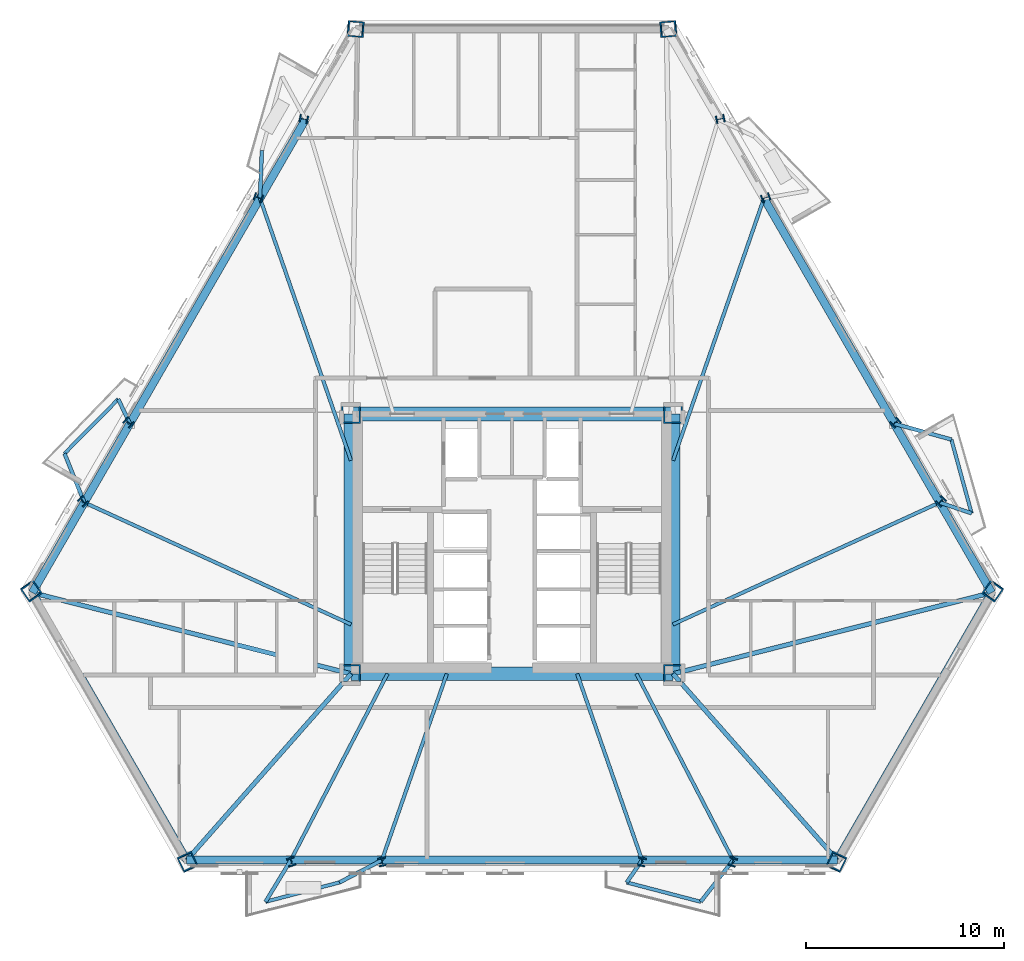
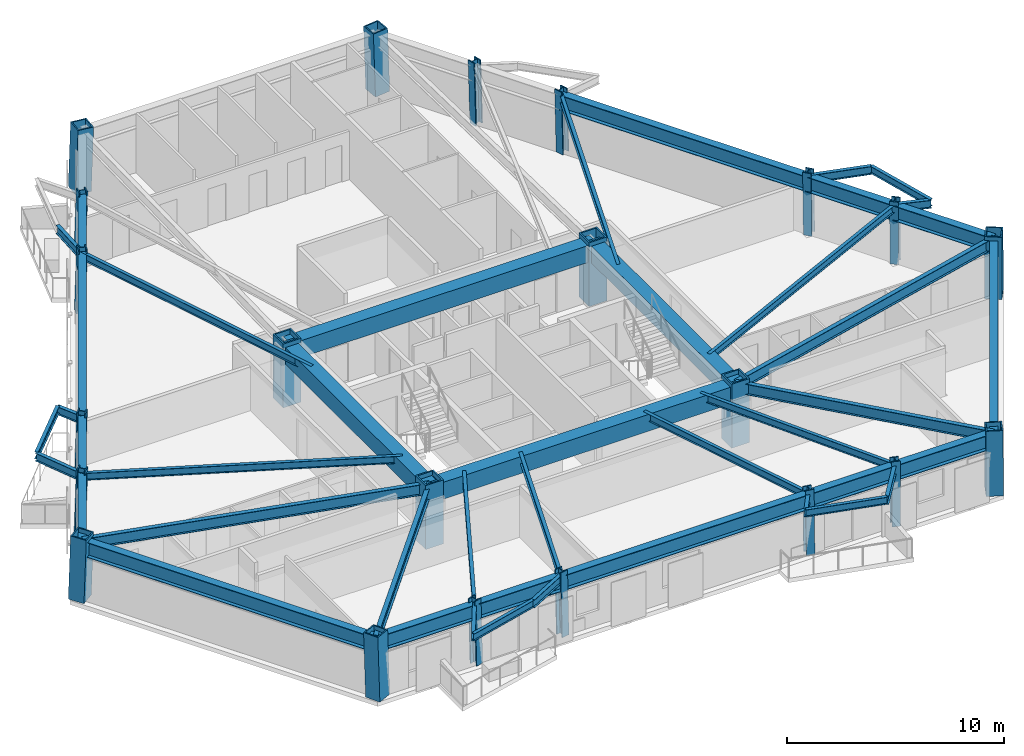
# One storey, part 1 of 12: 43 beams, 22 columns.
"""IFC4 building model written with IfcOpenShell, lengths in metres."""

from ifc_helpers import new_model, si_unit, direction, frame, origin, origin_2d, place, context, subcontext, project, spatial, rectangle, hollow_rectangle, i_section, extrude, material, material_profile, profile_set, type_object, element, save


model = new_model("IFC4")

# Units and contexts
model_context = context("Model", 3, precision=1e-05, world=origin(), true_north=direction((0.0, 1.0)))
body_context = subcontext(model_context, "Body", "Model", "MODEL_VIEW")
ifc_project = project(units=[si_unit("LENGTHUNIT", "METRE"), si_unit("AREAUNIT", "SQUARE_METRE"), si_unit("VOLUMEUNIT", "CUBIC_METRE"), si_unit("PLANEANGLEUNIT", "RADIAN"), si_unit("MASSUNIT", "GRAM", prefix="KILO")], contexts=[model_context])

# Site, building, storey
site_placement = place(None, origin())
site = spatial("IfcSite", under=ifc_project, at=site_placement, CompositionType="ELEMENT")
building_placement = place(site_placement, origin())
building = spatial("IfcBuilding", under=site, at=building_placement, Name="Oramaril Tower", CompositionType="ELEMENT")
storey_placement = place(building_placement, frame((0.0, 0.0, 30.89990234375)))
storey = spatial("IfcBuildingStorey", under=building, at=storey_placement, Name="L07", CompositionType="ELEMENT", Elevation=30.89990234375)

# Columns
ifc_material_1 = material(Name="Steel ASTM A572 Gr 50", Category="steel")
ifc_material_profile_1 = material_profile(ifc_material_1, hollow_rectangle(XDim=0.949951171875, YDim=0.949951171875, WallThickness=0.080078125, at=origin_2d()), Name="BOX950X950X80")
ifc_profile_set_1 = profile_set([ifc_material_profile_1], Name="Steel ASTM A572 Gr 50")
column_type_1 = type_object("IfcColumnType", Name="CT-CC2", PredefinedType="COLUMN", material=ifc_profile_set_1)
for number, where, z_axis, x_axis, name in (
    (1, (29.35009765625, 11.0, 0.0), (0.0, 0.0, 1.0), (1.0, 0.0, 0.0), "L07 Core Column CC-1"),
    (2, (45.64990234375, 11.0, 0.0), (0.0, 0.0, 1.0), (1.0, 0.0, 0.0), "L07 Core Column CC-2"),
    (3, (45.64990234375, 24.14990234375, 0.0), (0.0, 0.0, 1.0), (1.0, 0.0, 0.0), "L07 Core Column CC-3"),
    (4, (29.35009765625, 24.14990234375, 0.0), (0.0, 0.0, 1.0), (1.0, 0.0, 0.0), "L07 Core Column CC-4"),
):
    element("IfcColumn", number, at=place(storey_placement, frame(where, z_axis=z_axis, x_axis=x_axis)), inside=storey, type_object=column_type_1, Name=name, PredefinedType="COLUMN", context=body_context, shape_type="SweptSolid", body=[
        extrude(hollow_rectangle(XDim=0.949951171875, YDim=0.949951171875, WallThickness=0.080078125, at=origin_2d()), origin(), (0.0, 0.0, 1.0), 3.60009765625),
    ])
ifc_material_2 = material(Name="Steel ASTM A572 Gr 50", Category="steel")
ifc_material_profile_2 = material_profile(ifc_material_2, hollow_rectangle(XDim=0.800048828125, YDim=0.800048828125, WallThickness=0.06494140625, at=origin_2d()), Name="BOX800X800X65")
ifc_profile_set_2 = profile_set([ifc_material_profile_2], Name="Steel ASTM A572 Gr 50")
column_type_2 = type_object("IfcColumnType", Name="CT-TC3", PredefinedType="COLUMN", material=ifc_profile_set_2)
for number, where, z_axis, x_axis, name in (
    (5, (13.156005859375, 15.20361328125, 0.004638671875), (0.018346571143, -0.026500602762, 0.999480425712), (0.822192191644, 0.56920997883, 0.0), "L07 Tube Column TC-01"),
    (6, (21.087646484375, 1.4658203125, 0.004638671875), (-0.013793922819, 0.029082753529, 0.999481826318), (-0.903522800659, -0.428540019939, 0.0), "L07 Tube Column TC-02"),
    (7, (53.912353515625, 1.4658203125, 0.004638671875), (0.013793922819, 0.029082753529, 0.999481826318), (-0.903522800659, 0.428540019939, 0.0), "L07 Tube Column TC-03"),
    (8, (61.843994140625, 15.20361328125, 0.004638671875), (-0.018346571143, -0.026500602762, 0.999480425712), (0.822192191644, -0.56920997883, 0.0), "L07 Tube Column TC-04"),
    (9, (45.431640625, 43.630615234375, 0.004638671875), (-0.032140461795, -0.002582108981, 0.999480026528), (0.080080253565, -0.996788419369, 0.0), "L07 Tube Column TC-05"),
    (10, (29.568359375, 43.630615234375, 0.004638671875), (0.032140461795, -0.002582108981, 0.999480026528), (0.080080253565, 0.996788419369, 0.0), "L07 Tube Column TC-06"),
):
    element("IfcColumn", number, at=place(storey_placement, frame(where, z_axis=z_axis, x_axis=x_axis)), inside=storey, type_object=column_type_2, Name=name, PredefinedType="COLUMN", context=body_context, shape_type="SweptSolid", body=[
        extrude(hollow_rectangle(XDim=0.800048828125, YDim=0.800048828125, WallThickness=0.06494140625, at=origin_2d()), origin(), (0.0, 0.0, 1.0), 3.593017578125),
    ])
ifc_material_3 = material(Name="Steel ASTM A572 Gr 50", Category="steel")
ifc_material_profile_3 = material_profile(ifc_material_3, i_section(OverallWidth=0.410888671875, OverallDepth=0.43408203125, WebThickness=0.035888671875, FlangeThickness=0.057373046875, at=origin_2d()), Name="W14X311")
ifc_profile_set_3 = profile_set([ifc_material_profile_3], Name="Steel ASTM A572 Gr 50")
column_type_3 = type_object("IfcColumnType", Name="CT-TF2", PredefinedType="COLUMN", material=ifc_profile_set_3)
column_1_placement = place(storey_placement, frame((26.339599609375, 1.4658203125, 0.004638671875), z_axis=(-0.009377629374, 0.029084241828, 0.999532974416), x_axis=(-0.951750526254, -0.306872833231, 0.0)))
element("IfcColumn", 11, at=column_1_placement, inside=storey, type_object=column_type_3, Name="L07 Tube Column TC-07", PredefinedType="COLUMN", context=body_context, shape_type="SweptSolid", body=[
    extrude(i_section(OverallWidth=0.410888671875, OverallDepth=0.43408203125, WebThickness=0.035888671875, FlangeThickness=0.057373046875, at=origin_2d()), origin(), (0.0, 0.0, 1.0), 3.5927734375),
])
for number, where, z_axis, x_axis, name in (
    (12, (30.93505859375, 1.4658203125, 0.004638671875), (-0.005504419368, 0.029085080117, 0.999561783724), (-0.982558911086, -0.185951569621, 0.0), "L07 Tube Column TC-08"),
    (13, (44.06494140625, 1.4658203125, 0.004638671875), (0.005504419368, 0.029085080117, 0.999561783724), (-0.982558911086, 0.185951569621, 0.0), "L07 Tube Column TC-09"),
):
    element("IfcColumn", number, at=place(storey_placement, frame(where, z_axis=z_axis, x_axis=x_axis)), inside=storey, type_object=column_type_3, Name=name, PredefinedType="COLUMN", context=body_context, shape_type="SweptSolid", body=[
        extrude(i_section(OverallWidth=0.410888671875, OverallDepth=0.43408203125, WebThickness=0.035888671875, FlangeThickness=0.057373046875, at=origin_2d()), origin(), (0.0, 0.0, 1.0), 3.592529296875),
    ])
for number, where, z_axis, x_axis, name in (
    (14, (48.660400390625, 1.4658203125, 0.004638671875), (0.009377629374, 0.029084241828, 0.999532974416), (-0.951750526254, 0.306872833231, 0.0), "L07 Tube Column TC-10"),
    (15, (59.218017578125, 19.751953125, 0.004638671875), (-0.020522033279, -0.022696553361, 0.999531746677), (0.741746192232, -0.670680688785, 0.0), "L07 Tube Column TC-11"),
):
    element("IfcColumn", number, at=place(storey_placement, frame(where, z_axis=z_axis, x_axis=x_axis)), inside=storey, type_object=column_type_3, Name=name, PredefinedType="COLUMN", context=body_context, shape_type="SweptSolid", body=[
        extrude(i_section(OverallWidth=0.410888671875, OverallDepth=0.43408203125, WebThickness=0.035888671875, FlangeThickness=0.057373046875, at=origin_2d()), origin(), (0.0, 0.0, 1.0), 3.5927734375),
    ])
for number, where, z_axis, x_axis, name in (
    (16, (56.920166015625, 23.731689453125, 0.004638671875), (-0.022425422026, -0.019299454107, 0.999562219933), (0.652303294881, -0.757958053911, 0.0), "L07 Tube Column TC-12"),
    (17, (50.355224609375, 35.1025390625, 0.004638671875), (-0.027929837282, -0.00978563642, 0.999561986827), (0.330657253274, -0.943750910387, 0.0), "L07 Tube Column TC-13"),
):
    element("IfcColumn", number, at=place(storey_placement, frame(where, z_axis=z_axis, x_axis=x_axis)), inside=storey, type_object=column_type_3, Name=name, PredefinedType="COLUMN", context=body_context, shape_type="SweptSolid", body=[
        extrude(i_section(OverallWidth=0.410888671875, OverallDepth=0.43408203125, WebThickness=0.035888671875, FlangeThickness=0.057373046875, at=origin_2d()), origin(), (0.0, 0.0, 1.0), 3.592529296875),
    ])
for number, where, z_axis, x_axis, name in (
    (18, (48.0576171875, 39.082275390625, 0.004638671875), (-0.029899660454, -0.006455608507, 0.999532058227), (0.211045983511, -0.977476134156, 0.0), "L07 Tube Column TC-14"),
    (19, (26.9423828125, 39.082275390625, 0.004638671875), (0.029899660454, -0.006455608507, 0.999532058227), (0.211045983511, 0.977476134156, 0.0), "L07 Tube Column TC-15"),
):
    element("IfcColumn", number, at=place(storey_placement, frame(where, z_axis=z_axis, x_axis=x_axis)), inside=storey, type_object=column_type_3, Name=name, PredefinedType="COLUMN", context=body_context, shape_type="SweptSolid", body=[
        extrude(i_section(OverallWidth=0.410888671875, OverallDepth=0.43408203125, WebThickness=0.035888671875, FlangeThickness=0.057373046875, at=origin_2d()), origin(), (0.0, 0.0, 1.0), 3.5927734375),
    ])
for number, where, z_axis, x_axis, name in (
    (20, (24.644775390625, 35.1025390625, 0.004638671875), (0.027929837282, -0.00978563642, 0.999561986827), (0.330657253274, 0.943750910387, 0.0), "L07 Tube Column TC-16"),
    (21, (18.079833984375, 23.731689453125, 0.004638671875), (0.022425422026, -0.019299454107, 0.999562219933), (0.652303294881, 0.757958053911, 0.0), "L07 Tube Column TC-17"),
):
    element("IfcColumn", number, at=place(storey_placement, frame(where, z_axis=z_axis, x_axis=x_axis)), inside=storey, type_object=column_type_3, Name=name, PredefinedType="COLUMN", context=body_context, shape_type="SweptSolid", body=[
        extrude(i_section(OverallWidth=0.410888671875, OverallDepth=0.43408203125, WebThickness=0.035888671875, FlangeThickness=0.057373046875, at=origin_2d()), origin(), (0.0, 0.0, 1.0), 3.592529296875),
    ])
column_2_placement = place(storey_placement, frame((15.781982421875, 19.751953125, 0.004638671875), z_axis=(0.020522033279, -0.022696553361, 0.999531746677), x_axis=(0.741746192232, 0.670680688785, 0.0)))
element("IfcColumn", 22, at=column_2_placement, inside=storey, type_object=column_type_3, Name="L07 Tube Column TC-18", PredefinedType="COLUMN", context=body_context, shape_type="SweptSolid", body=[
    extrude(i_section(OverallWidth=0.410888671875, OverallDepth=0.43408203125, WebThickness=0.035888671875, FlangeThickness=0.057373046875, at=origin_2d()), origin(), (0.0, 0.0, 1.0), 3.5927734375),
])

# Beams
ifc_material_4 = material(Name="Steel ASTM A572 Gr 50", Category="steel")
ifc_material_profile_4 = material_profile(ifc_material_4, i_section(OverallWidth=0.19091796875, OverallDepth=0.45703125, WebThickness=0.009033203125, FlangeThickness=0.014404296875, at=origin_2d()), Name="W18X50")
ifc_profile_set_4 = profile_set([ifc_material_profile_4], Name="Steel ASTM A572 Gr 50")
beam_type_1 = type_object("IfcBeamType", Name="BT-BB1", PredefinedType="BEAM", material=ifc_profile_set_4)
beam_1_placement = place(storey_placement, frame((26.305908203125, 1.5703125, 3.131591796875), z_axis=(-0.519189931464, -0.854658888134, 0.0), x_axis=(0.854658888134, -0.519189931464, 0.0)))
element("IfcBeam", 23, at=beam_1_placement, inside=storey, type_object=beam_type_1, Name="L07 Balcony Column-Framed Cantilever 01.1", PredefinedType="BEAM", context=body_context, shape_type="SweptSolid", body=[
    extrude(i_section(OverallWidth=0.19091796875, OverallDepth=0.45703125, WebThickness=0.009033203125, FlangeThickness=0.014404296875, at=origin_2d()), origin(), (0.0, 0.0, 1.0), 2.46630859375),
])
beam_2_placement = place(storey_placement, frame((30.915283203125, 1.5703125, 3.131591796875), z_axis=(-0.885158415393, -0.465289780307, 0.0), x_axis=(0.465289780307, -0.885158415393, 0.0)))
element("IfcBeam", 24, at=beam_2_placement, inside=storey, type_object=beam_type_1, Name="L07 Balcony Column-Framed Cantilever 01.2", PredefinedType="BEAM", context=body_context, shape_type="SweptSolid", body=[
    extrude(i_section(OverallWidth=0.19091796875, OverallDepth=0.45703125, WebThickness=0.009033203125, FlangeThickness=0.014404296875, at=origin_2d()), origin(), (0.0, 0.0, 1.0), 2.424072265625),
])
beam_3_placement = place(storey_placement, frame((44.084716796875, 1.5703125, 3.131591796875), z_axis=(-0.568431869955, -0.822730338093, 0.0), x_axis=(0.822730338093, -0.568431869955, 0.0)))
element("IfcBeam", 25, at=beam_3_placement, inside=storey, type_object=beam_type_1, Name="L07 Balcony Column-Framed Cantilever 02.1", PredefinedType="BEAM", context=body_context, shape_type="SweptSolid", body=[
    extrude(i_section(OverallWidth=0.19091796875, OverallDepth=0.45703125, WebThickness=0.009033203125, FlangeThickness=0.014404296875, at=origin_2d()), origin(), (0.0, 0.0, 1.0), 1.370849609375),
])
beam_4_placement = place(storey_placement, frame((48.694091796875, 1.5703125, 3.131591796875), z_axis=(-0.615115822901, -0.788436759935, 0.0), x_axis=(0.788436759935, -0.615115822901, 0.0)))
element("IfcBeam", 26, at=beam_4_placement, inside=storey, type_object=beam_type_1, Name="L07 Balcony Column-Framed Cantilever 02.2", PredefinedType="BEAM", context=body_context, shape_type="SweptSolid", body=[
    extrude(i_section(OverallWidth=0.19091796875, OverallDepth=0.45703125, WebThickness=0.009033203125, FlangeThickness=0.014404296875, at=origin_2d()), origin(), (0.0, 0.0, 1.0), 2.673583984375),
])
beam_5_placement = place(storey_placement, frame((59.144287109375, 19.67041015625, 3.131591796875), z_axis=(0.947633622766, -0.319359541901, 0.0), x_axis=(0.319359541901, 0.947633622766, 0.0)))
element("IfcBeam", 27, at=beam_5_placement, inside=storey, type_object=beam_type_1, Name="L07 Balcony Column-Framed Cantilever 03.1", PredefinedType="BEAM", context=body_context, shape_type="SweptSolid", body=[
    extrude(i_section(OverallWidth=0.19091796875, OverallDepth=0.45703125, WebThickness=0.009033203125, FlangeThickness=0.014404296875, at=origin_2d()), origin(), (0.0, 0.0, 1.0), 1.706298828125),
])
beam_6_placement = place(storey_placement, frame((56.839599609375, 23.662353515625, 3.131591796875), z_axis=(0.963576027118, -0.267434552675, 0.0), x_axis=(0.267434552675, 0.963576027118, 0.0)))
element("IfcBeam", 28, at=beam_6_placement, inside=storey, type_object=beam_type_1, Name="L07 Balcony Column-Framed Cantilever 03.2", PredefinedType="BEAM", context=body_context, shape_type="SweptSolid", body=[
    extrude(i_section(OverallWidth=0.19091796875, OverallDepth=0.45703125, WebThickness=0.009033203125, FlangeThickness=0.014404296875, at=origin_2d()), origin(), (0.0, 0.0, 1.0), 3.008056640625),
])
beam_7_placement = place(storey_placement, frame((24.7451171875, 35.0673828125, 3.131591796875), z_axis=(0.039678464509, 0.999212499649, 0.0), x_axis=(-0.999212499649, 0.039678464509, 0.0)))
element("IfcBeam", 29, at=beam_7_placement, inside=storey, type_object=beam_type_1, Name="L07 Balcony Column-Framed Cantilever 05.2", PredefinedType="BEAM", context=body_context, shape_type="SweptSolid", body=[
    extrude(i_section(OverallWidth=0.19091796875, OverallDepth=0.45703125, WebThickness=0.009033203125, FlangeThickness=0.014404296875, at=origin_2d()), origin(), (0.0, 0.0, 1.0), 2.42431640625),
])
beam_8_placement = place(storey_placement, frame((18.160400390625, 23.662353515625, 3.131591796875), z_axis=(-0.428308340924, 0.903632649418, 0.0), x_axis=(-0.903632649418, -0.428308340924, 0.0)))
element("IfcBeam", 30, at=beam_8_placement, inside=storey, type_object=beam_type_1, Name="L07 Balcony Column-Framed Cantilever 06.1", PredefinedType="BEAM", context=body_context, shape_type="SweptSolid", body=[
    extrude(i_section(OverallWidth=0.19091796875, OverallDepth=0.45703125, WebThickness=0.009033203125, FlangeThickness=0.014404296875, at=origin_2d()), origin(), (0.0, 0.0, 1.0), 1.370849609375),
])
beam_9_placement = place(storey_placement, frame((15.855712890625, 19.67041015625, 3.131591796875), z_axis=(-0.37521330685, 0.926938495458, 0.0), x_axis=(-0.926938495458, -0.37521330685, 0.0)))
element("IfcBeam", 31, at=beam_9_placement, inside=storey, type_object=beam_type_1, Name="L07 Balcony Column-Framed Cantilever 06.2", PredefinedType="BEAM", context=body_context, shape_type="SweptSolid", body=[
    extrude(i_section(OverallWidth=0.19091796875, OverallDepth=0.45703125, WebThickness=0.009033203125, FlangeThickness=0.014404296875, at=origin_2d()), origin(), (0.0, 0.0, 1.0), 2.673583984375),
])
ifc_material_5 = material(Name="Concrete C50/60", Category="concrete")
ifc_material_profile_5 = material_profile(ifc_material_5, rectangle(XDim=0.699951171875, YDim=0.949951171875, at=origin_2d()), Name="CB700X950")
ifc_profile_set_5 = profile_set([ifc_material_profile_5], Name="Concrete C50/60")
beam_type_2 = type_object("IfcBeamType", Name="BT-CB1", PredefinedType="BEAM", material=ifc_profile_set_5)
beam_10_placement = place(storey_placement, frame((29.35009765625, 11.0, 2.885009765625), z_axis=(1.0, 0.0, 0.0), x_axis=(0.0, 1.0, 0.0)))
element("IfcBeam", 32, at=beam_10_placement, inside=storey, type_object=beam_type_2, Name="L07 Core Header Beam CB-1", PredefinedType="BEAM", context=body_context, shape_type="SweptSolid", body=[
    extrude(rectangle(XDim=0.699951171875, YDim=0.949951171875, at=origin_2d()), origin(), (0.0, 0.0, 1.0), 16.2998046875),
])
beam_11_placement = place(storey_placement, frame((45.64990234375, 11.0, 2.885009765625), z_axis=(0.0, 1.0, 0.0), x_axis=(-1.0, 0.0, 0.0)))
element("IfcBeam", 33, at=beam_11_placement, inside=storey, type_object=beam_type_2, Name="L07 Core Header Beam CB-2", PredefinedType="BEAM", context=body_context, shape_type="SweptSolid", body=[
    extrude(rectangle(XDim=0.699951171875, YDim=0.949951171875, at=origin_2d()), origin(), (0.0, 0.0, 1.0), 13.14990234375),
])
beam_12_placement = place(storey_placement, frame((45.64990234375, 24.14990234375, 2.885009765625), z_axis=(-1.0, 0.0, 0.0), x_axis=(0.0, -1.0, 0.0)))
element("IfcBeam", 34, at=beam_12_placement, inside=storey, type_object=beam_type_2, Name="L07 Core Header Beam CB-3", PredefinedType="BEAM", context=body_context, shape_type="SweptSolid", body=[
    extrude(rectangle(XDim=0.699951171875, YDim=0.949951171875, at=origin_2d()), origin(), (0.0, 0.0, 1.0), 16.2998046875),
])
beam_13_placement = place(storey_placement, frame((29.35009765625, 24.14990234375, 2.885009765625), z_axis=(0.0, -1.0, 0.0), x_axis=(1.0, 0.0, 0.0)))
element("IfcBeam", 35, at=beam_13_placement, inside=storey, type_object=beam_type_2, Name="L07 Core Header Beam CB-4", PredefinedType="BEAM", context=body_context, shape_type="SweptSolid", body=[
    extrude(rectangle(XDim=0.699951171875, YDim=0.949951171875, at=origin_2d()), origin(), (0.0, 0.0, 1.0), 13.14990234375),
])
ifc_material_6 = material(Name="Steel ASTM A572 Gr 50", Category="steel")
ifc_material_profile_6 = material_profile(ifc_material_6, i_section(OverallWidth=0.22900390625, OverallDepth=0.612060546875, WebThickness=0.011962890625, FlangeThickness=0.01953125, at=origin_2d()), Name="W24X84")
ifc_profile_set_6 = profile_set([ifc_material_profile_6], Name="Steel ASTM A572 Gr 50")
beam_type_3 = type_object("IfcBeamType", Name="BT-FB1", PredefinedType="BEAM", material=ifc_profile_set_6)
beam_14_placement = place(storey_placement, frame((29.35009765625, 11.0, 3.05419921875), z_axis=(-0.969053420178, 0.246851106625, 0.0), x_axis=(-0.246851106625, -0.969053420178, 0.0)))
element("IfcBeam", 36, at=beam_14_placement, inside=storey, type_object=beam_type_3, Name="L07 Radial Primary Beam RB-01", PredefinedType="BEAM", context=body_context, shape_type="SweptSolid", body=[
    extrude(i_section(OverallWidth=0.22900390625, OverallDepth=0.612060546875, WebThickness=0.011962890625, FlangeThickness=0.01953125, at=origin_2d()), origin(), (0.0, 0.0, 1.0), 16.643310546875),
])
for number, where, z_axis, x_axis, name in (
    (37, (29.35009765625, 11.0, 3.05419921875), (-0.661250265846, -0.75016537238, 0.0), (0.75016537238, -0.661250265846, 0.0), "L07 Radial Primary Beam RB-02"),
    (38, (45.64990234375, 11.0, 3.05419921875), (0.661250265846, -0.75016537238, 0.0), (0.75016537238, 0.661250265846, 0.0), "L07 Radial Primary Beam RB-03"),
):
    element("IfcBeam", number, at=place(storey_placement, frame(where, z_axis=z_axis, x_axis=x_axis)), inside=storey, type_object=beam_type_3, Name=name, PredefinedType="BEAM", context=body_context, shape_type="SweptSolid", body=[
        extrude(i_section(OverallWidth=0.22900390625, OverallDepth=0.612060546875, WebThickness=0.011962890625, FlangeThickness=0.01953125, at=origin_2d()), origin(), (0.0, 0.0, 1.0), 12.570068359375),
    ])
beam_15_placement = place(storey_placement, frame((45.64990234375, 11.0, 3.05419921875), z_axis=(0.969053420178, 0.246851106625, 0.0), x_axis=(-0.246851106625, 0.969053420178, 0.0)))
element("IfcBeam", 39, at=beam_15_placement, inside=storey, type_object=beam_type_3, Name="L07 Radial Primary Beam RB-04", PredefinedType="BEAM", context=body_context, shape_type="SweptSolid", body=[
    extrude(i_section(OverallWidth=0.22900390625, OverallDepth=0.612060546875, WebThickness=0.011962890625, FlangeThickness=0.01953125, at=origin_2d()), origin(), (0.0, 0.0, 1.0), 16.643310546875),
])
ifc_material_7 = material(Name="Steel ASTM A572 Gr 50", Category="steel")
ifc_material_profile_7 = material_profile(ifc_material_7, i_section(OverallWidth=0.177978515625, OverallDepth=0.404052734375, WebThickness=0.007568359375, FlangeThickness=0.010986328125, at=origin_2d()), Name="W16X36")
ifc_profile_set_7 = profile_set([ifc_material_profile_7], Name="Steel ASTM A572 Gr 50")
beam_type_4 = type_object("IfcBeamType", Name="BT-SB1", PredefinedType="BEAM", material=ifc_profile_set_7)
beam_16_placement = place(storey_placement, frame((31.199951171875, 11.0, 3.158203125), z_axis=(-0.460656538803, -0.887578477239, 0.0), x_axis=(0.887578477239, -0.460656538803, 0.0)))
element("IfcBeam", 40, at=beam_16_placement, inside=storey, type_object=beam_type_4, Name="L07 Secondary Floor Beam SB-01", PredefinedType="BEAM", context=body_context, shape_type="SweptSolid", body=[
    extrude(i_section(OverallWidth=0.177978515625, OverallDepth=0.404052734375, WebThickness=0.007568359375, FlangeThickness=0.010986328125, at=origin_2d()), origin(), (0.0, 0.0, 1.0), 10.6240234375),
])
for number, where, z_axis, x_axis, name in (
    (41, (34.199951171875, 11.0, 3.158203125), (-0.328947328702, -0.944348269941, 0.0), (0.944348269941, -0.328947328702, 0.0), "L07 Secondary Floor Beam SB-02"),
    (42, (40.800048828125, 11.0, 3.158203125), (0.328947328702, -0.944348269941, 0.0), (0.944348269941, 0.328947328702, 0.0), "L07 Secondary Floor Beam SB-03"),
):
    element("IfcBeam", number, at=place(storey_placement, frame(where, z_axis=z_axis, x_axis=x_axis)), inside=storey, type_object=beam_type_4, Name=name, PredefinedType="BEAM", context=body_context, shape_type="SweptSolid", body=[
        extrude(i_section(OverallWidth=0.177978515625, OverallDepth=0.404052734375, WebThickness=0.007568359375, FlangeThickness=0.010986328125, at=origin_2d()), origin(), (0.0, 0.0, 1.0), 9.9853515625),
    ])
beam_17_placement = place(storey_placement, frame((43.800048828125, 11.0, 3.158203125), z_axis=(0.460656538803, -0.887578477239, 0.0), x_axis=(0.887578477239, 0.460656538803, 0.0)))
element("IfcBeam", 43, at=beam_17_placement, inside=storey, type_object=beam_type_4, Name="L07 Secondary Floor Beam SB-04", PredefinedType="BEAM", context=body_context, shape_type="SweptSolid", body=[
    extrude(i_section(OverallWidth=0.177978515625, OverallDepth=0.404052734375, WebThickness=0.007568359375, FlangeThickness=0.010986328125, at=origin_2d()), origin(), (0.0, 0.0, 1.0), 10.6240234375),
])
beam_18_placement = place(storey_placement, frame((45.64990234375, 13.5, 3.158203125), z_axis=(0.909435009722, 0.415846081011, 0.0), x_axis=(-0.415846081011, 0.909435009722, 0.0)))
element("IfcBeam", 44, at=beam_18_placement, inside=storey, type_object=beam_type_4, Name="L07 Secondary Floor Beam SB-05", PredefinedType="BEAM", context=body_context, shape_type="SweptSolid", body=[
    extrude(i_section(OverallWidth=0.177978515625, OverallDepth=0.404052734375, WebThickness=0.007568359375, FlangeThickness=0.010986328125, at=origin_2d()), origin(), (0.0, 0.0, 1.0), 14.838134765625),
])
for number, where, z_axis, x_axis, name in (
    (45, (45.64990234375, 21.800048828125, 3.158203125), (0.327901581552, 0.944711888787, 0.0), (-0.944711888787, 0.327901581552, 0.0), "L07 Secondary Floor Beam SB-06"),
    (46, (29.35009765625, 21.800048828125, 3.158203125), (-0.327901581552, 0.944711888787, 0.0), (-0.944711888787, -0.327901581552, 0.0), "L07 Secondary Floor Beam SB-09"),
):
    element("IfcBeam", number, at=place(storey_placement, frame(where, z_axis=z_axis, x_axis=x_axis)), inside=storey, type_object=beam_type_4, Name=name, PredefinedType="BEAM", context=body_context, shape_type="SweptSolid", body=[
        extrude(i_section(OverallWidth=0.177978515625, OverallDepth=0.404052734375, WebThickness=0.007568359375, FlangeThickness=0.010986328125, at=origin_2d()), origin(), (0.0, 0.0, 1.0), 14.043701171875),
    ])
beam_19_placement = place(storey_placement, frame((29.35009765625, 13.5, 3.158203125), z_axis=(-0.909435009722, 0.415846081011, 0.0), x_axis=(-0.415846081011, -0.909435009722, 0.0)))
element("IfcBeam", 47, at=beam_19_placement, inside=storey, type_object=beam_type_4, Name="L07 Secondary Floor Beam SB-10", PredefinedType="BEAM", context=body_context, shape_type="SweptSolid", body=[
    extrude(i_section(OverallWidth=0.177978515625, OverallDepth=0.404052734375, WebThickness=0.007568359375, FlangeThickness=0.010986328125, at=origin_2d()), origin(), (0.0, 0.0, 1.0), 14.838134765625),
])
for number, where, z_axis, x_axis, name in (
    (48, (25.025390625, -0.53759765625, 3.158203125), (0.967411967632, 0.253207592467, 0.0), (-0.253207592467, 0.967411967632, 0.0), "L07 Balcony Edge Tie Beam 01"),
    (49, (43.305419921875, 0.4423828125, 3.158203125), (0.967411967632, -0.253207592467, 0.0), (0.253207592467, 0.967411967632, 0.0), "L07 Balcony Edge Tie Beam 02"),
):
    element("IfcBeam", number, at=place(storey_placement, frame(where, z_axis=z_axis, x_axis=x_axis)), inside=storey, type_object=beam_type_4, Name=name, PredefinedType="BEAM", context=body_context, shape_type="SweptSolid", body=[
        extrude(i_section(OverallWidth=0.177978515625, OverallDepth=0.404052734375, WebThickness=0.007568359375, FlangeThickness=0.010986328125, at=origin_2d()), origin(), (0.0, 0.0, 1.0), 3.870361328125),
    ])
for number, where, z_axis, x_axis, name in (
    (50, (60.76123046875, 19.12548828125, 3.158203125), (-0.264382243015, 0.964417974521, 0.0), (-0.964417974521, -0.264382243015, 0.0), "L07 Balcony Edge Tie Beam 03"),
    (51, (17.5732421875, 24.901123046875, 3.158203125), (-0.702994511648, -0.71119527318, 0.0), (0.71119527318, -0.702994511648, 0.0), "L07 Balcony Edge Tie Beam 06"),
):
    element("IfcBeam", number, at=place(storey_placement, frame(where, z_axis=z_axis, x_axis=x_axis)), inside=storey, type_object=beam_type_4, Name=name, PredefinedType="BEAM", context=body_context, shape_type="SweptSolid", body=[
        extrude(i_section(OverallWidth=0.177978515625, OverallDepth=0.404052734375, WebThickness=0.007568359375, FlangeThickness=0.010986328125, at=origin_2d()), origin(), (0.0, 0.0, 1.0), 3.8701171875),
    ])
ifc_material_8 = material(Name="Steel ASTM A572 Gr 50", Category="steel")
ifc_material_profile_8 = material_profile(ifc_material_8, i_section(OverallWidth=0.40087890625, OverallDepth=0.85595703125, WebThickness=0.018310546875, FlangeThickness=0.029296875, at=origin_2d()), Name="W33X201")
ifc_profile_set_8 = profile_set([ifc_material_profile_8], Name="Steel ASTM A572 Gr 50")
beam_type_5 = type_object("IfcBeamType", Name="BT-SP1", PredefinedType="SPANDREL", material=ifc_profile_set_8)
beam_20_placement = place(storey_placement, frame((13.221923828125, 15.1083984375, 2.93212890625), z_axis=(0.499997339613, -0.866026939754, 0.0), x_axis=(0.866026939754, 0.499997339613, 0.0)))
element("IfcBeam", 52, at=beam_20_placement, inside=storey, type_object=beam_type_5, Name="L07 Perimeter Spandrel 01", PredefinedType="SPANDREL", context=body_context, shape_type="SweptSolid", body=[
    extrude(i_section(OverallWidth=0.40087890625, OverallDepth=0.85595703125, WebThickness=0.018310546875, FlangeThickness=0.029296875, at=origin_2d()), origin(), (0.0, 0.0, 1.0), 15.63232421875),
])
beam_21_placement = place(storey_placement, frame((21.0380859375, 1.5703125, 2.93212890625), z_axis=(1.0, 0.0, 0.0), x_axis=(0.0, 1.0, 0.0)))
element("IfcBeam", 53, at=beam_21_placement, inside=storey, type_object=beam_type_5, Name="L07 Perimeter Spandrel 02", PredefinedType="SPANDREL", context=body_context, shape_type="SweptSolid", body=[
    extrude(i_section(OverallWidth=0.40087890625, OverallDepth=0.85595703125, WebThickness=0.018310546875, FlangeThickness=0.029296875, at=origin_2d()), origin(), (0.0, 0.0, 1.0), 5.267822265625),
])
beam_22_placement = place(storey_placement, frame((26.305908203125, 1.5703125, 2.93212890625), z_axis=(1.0, 0.0, 0.0), x_axis=(0.0, 1.0, 0.0)))
element("IfcBeam", 54, at=beam_22_placement, inside=storey, type_object=beam_type_5, Name="L07 Perimeter Spandrel 03", PredefinedType="SPANDREL", context=body_context, shape_type="SweptSolid", body=[
    extrude(i_section(OverallWidth=0.40087890625, OverallDepth=0.85595703125, WebThickness=0.018310546875, FlangeThickness=0.029296875, at=origin_2d()), origin(), (0.0, 0.0, 1.0), 4.609375),
])
beam_23_placement = place(storey_placement, frame((30.915283203125, 1.5703125, 2.93212890625), z_axis=(1.0, 0.0, 0.0), x_axis=(0.0, 1.0, 0.0)))
element("IfcBeam", 55, at=beam_23_placement, inside=storey, type_object=beam_type_5, Name="L07 Perimeter Spandrel 04", PredefinedType="SPANDREL", context=body_context, shape_type="SweptSolid", body=[
    extrude(i_section(OverallWidth=0.40087890625, OverallDepth=0.85595703125, WebThickness=0.018310546875, FlangeThickness=0.029296875, at=origin_2d()), origin(), (0.0, 0.0, 1.0), 13.16943359375),
])
beam_24_placement = place(storey_placement, frame((44.084716796875, 1.5703125, 2.93212890625), z_axis=(1.0, 0.0, 0.0), x_axis=(0.0, 1.0, 0.0)))
element("IfcBeam", 56, at=beam_24_placement, inside=storey, type_object=beam_type_5, Name="L07 Perimeter Spandrel 05", PredefinedType="SPANDREL", context=body_context, shape_type="SweptSolid", body=[
    extrude(i_section(OverallWidth=0.40087890625, OverallDepth=0.85595703125, WebThickness=0.018310546875, FlangeThickness=0.029296875, at=origin_2d()), origin(), (0.0, 0.0, 1.0), 4.609375),
])
beam_25_placement = place(storey_placement, frame((48.694091796875, 1.5703125, 2.93212890625), z_axis=(1.0, 0.0, 0.0), x_axis=(0.0, 1.0, 0.0)))
element("IfcBeam", 57, at=beam_25_placement, inside=storey, type_object=beam_type_5, Name="L07 Perimeter Spandrel 06", PredefinedType="SPANDREL", context=body_context, shape_type="SweptSolid", body=[
    extrude(i_section(OverallWidth=0.40087890625, OverallDepth=0.85595703125, WebThickness=0.018310546875, FlangeThickness=0.029296875, at=origin_2d()), origin(), (0.0, 0.0, 1.0), 5.267822265625),
])
beam_26_placement = place(storey_placement, frame((53.9619140625, 1.5703125, 2.93212890625), z_axis=(0.499997339613, 0.866026939754, 0.0), x_axis=(-0.866026939754, 0.499997339613, 0.0)))
element("IfcBeam", 58, at=beam_26_placement, inside=storey, type_object=beam_type_5, Name="L07 Perimeter Spandrel 07", PredefinedType="SPANDREL", context=body_context, shape_type="SweptSolid", body=[
    extrude(i_section(OverallWidth=0.40087890625, OverallDepth=0.85595703125, WebThickness=0.018310546875, FlangeThickness=0.029296875, at=origin_2d()), origin(), (0.0, 0.0, 1.0), 15.63232421875),
])
beam_27_placement = place(storey_placement, frame((61.778076171875, 15.1083984375, 2.93212890625), z_axis=(-0.49998723852, 0.866032771503, 0.0), x_axis=(-0.866032771503, -0.49998723852, 0.0)))
element("IfcBeam", 59, at=beam_27_placement, inside=storey, type_object=beam_type_5, Name="L07 Perimeter Spandrel 08", PredefinedType="SPANDREL", context=body_context, shape_type="SweptSolid", body=[
    extrude(i_section(OverallWidth=0.40087890625, OverallDepth=0.85595703125, WebThickness=0.018310546875, FlangeThickness=0.029296875, at=origin_2d()), origin(), (0.0, 0.0, 1.0), 5.267822265625),
])
beam_28_placement = place(storey_placement, frame((59.144287109375, 19.67041015625, 2.93212890625), z_axis=(-0.499989900136, 0.866031234865, 0.0), x_axis=(-0.866031234865, -0.499989900136, 0.0)))
element("IfcBeam", 60, at=beam_28_placement, inside=storey, type_object=beam_type_5, Name="L07 Perimeter Spandrel 09", PredefinedType="SPANDREL", context=body_context, shape_type="SweptSolid", body=[
    extrude(i_section(OverallWidth=0.40087890625, OverallDepth=0.85595703125, WebThickness=0.018310546875, FlangeThickness=0.029296875, at=origin_2d()), origin(), (0.0, 0.0, 1.0), 4.609375),
])
beam_29_placement = place(storey_placement, frame((56.839599609375, 23.662353515625, 2.93212890625), z_axis=(-0.500001142546, 0.866024744134, 0.0), x_axis=(-0.866024744134, -0.500001142546, 0.0)))
element("IfcBeam", 61, at=beam_29_placement, inside=storey, type_object=beam_type_5, Name="L07 Perimeter Spandrel 10", PredefinedType="SPANDREL", context=body_context, shape_type="SweptSolid", body=[
    extrude(i_section(OverallWidth=0.40087890625, OverallDepth=0.85595703125, WebThickness=0.018310546875, FlangeThickness=0.029296875, at=origin_2d()), origin(), (0.0, 0.0, 1.0), 13.16943359375),
])
beam_30_placement = place(storey_placement, frame((27.0498046875, 39.05908203125, 2.93212890625), z_axis=(-0.500012835235, -0.866017993231, 0.0), x_axis=(0.866017993231, -0.500012835235, 0.0)))
element("IfcBeam", 62, at=beam_30_placement, inside=storey, type_object=beam_type_5, Name="L07 Perimeter Spandrel 15", PredefinedType="SPANDREL", context=body_context, shape_type="SweptSolid", body=[
    extrude(i_section(OverallWidth=0.40087890625, OverallDepth=0.85595703125, WebThickness=0.018310546875, FlangeThickness=0.029296875, at=origin_2d()), origin(), (0.0, 0.0, 1.0), 4.609375),
])
beam_31_placement = place(storey_placement, frame((24.7451171875, 35.0673828125, 2.93212890625), z_axis=(-0.500001142546, -0.866024744134, 0.0), x_axis=(0.866024744134, -0.500001142546, 0.0)))
element("IfcBeam", 63, at=beam_31_placement, inside=storey, type_object=beam_type_5, Name="L07 Perimeter Spandrel 16", PredefinedType="SPANDREL", context=body_context, shape_type="SweptSolid", body=[
    extrude(i_section(OverallWidth=0.40087890625, OverallDepth=0.85595703125, WebThickness=0.018310546875, FlangeThickness=0.029296875, at=origin_2d()), origin(), (0.0, 0.0, 1.0), 13.16943359375),
])
beam_32_placement = place(storey_placement, frame((18.160400390625, 23.662353515625, 2.93212890625), z_axis=(-0.499989900136, -0.866031234865, 0.0), x_axis=(0.866031234865, -0.499989900136, 0.0)))
element("IfcBeam", 64, at=beam_32_placement, inside=storey, type_object=beam_type_5, Name="L07 Perimeter Spandrel 17", PredefinedType="SPANDREL", context=body_context, shape_type="SweptSolid", body=[
    extrude(i_section(OverallWidth=0.40087890625, OverallDepth=0.85595703125, WebThickness=0.018310546875, FlangeThickness=0.029296875, at=origin_2d()), origin(), (0.0, 0.0, 1.0), 4.609375),
])
beam_33_placement = place(storey_placement, frame((15.855712890625, 19.67041015625, 2.93212890625), z_axis=(-0.49998723852, -0.866032771503, 0.0), x_axis=(0.866032771503, -0.49998723852, 0.0)))
element("IfcBeam", 65, at=beam_33_placement, inside=storey, type_object=beam_type_5, Name="L07 Perimeter Spandrel 18", PredefinedType="SPANDREL", context=body_context, shape_type="SweptSolid", body=[
    extrude(i_section(OverallWidth=0.40087890625, OverallDepth=0.85595703125, WebThickness=0.018310546875, FlangeThickness=0.029296875, at=origin_2d()), origin(), (0.0, 0.0, 1.0), 5.267822265625),
])

save(model, "model.ifc")
